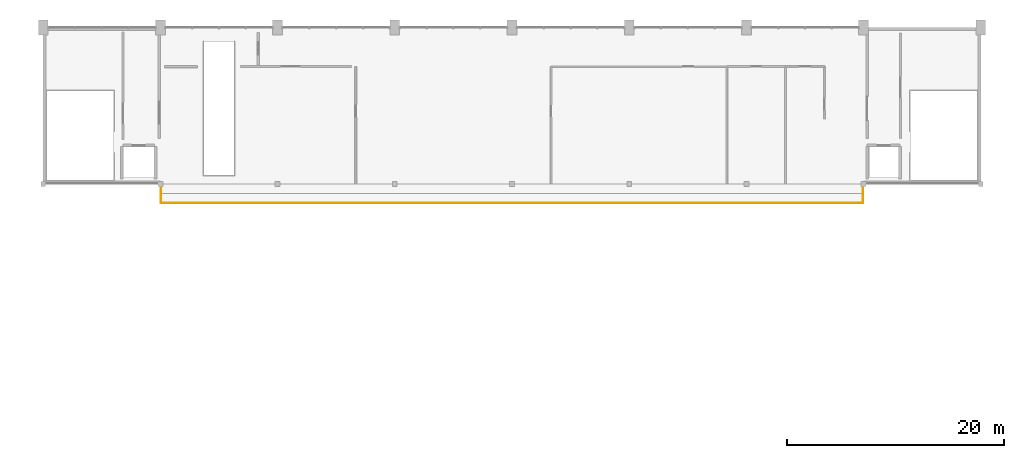
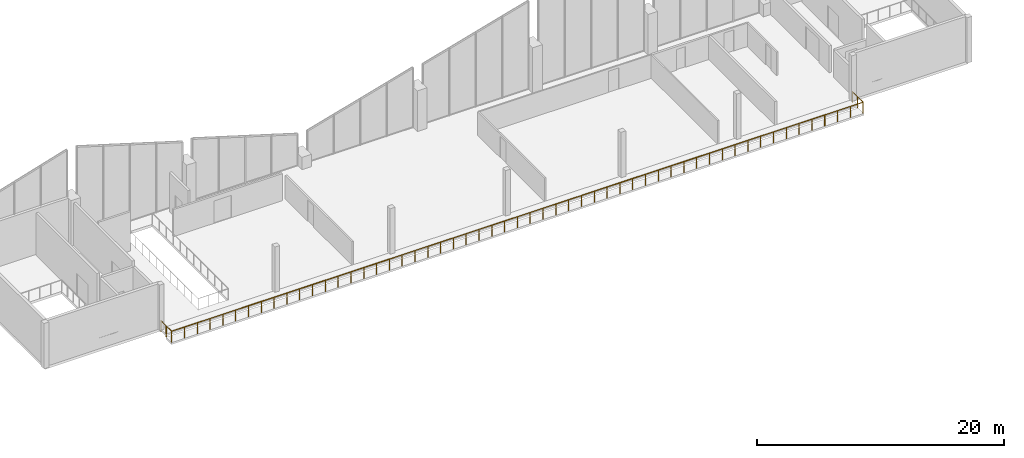
# One storey, part 83 of 89: 1 railing.
"""IFC4 building model written with IfcOpenShell, lengths in metres."""

from ifc_helpers import new_model, si_unit, direction, frame, origin, origin_2d, place, context, subcontext, project, spatial, circle, extrude, material, type_object, element, save


model = new_model("IFC4")

# Units and contexts
model_context = context("Model", 3, precision=1e-05, world=origin(), true_north=direction((0.0, 1.0)))
body_context = subcontext(model_context, "Body", "Model", "MODEL_VIEW")
ifc_project = project(units=[si_unit("LENGTHUNIT", "METRE"), si_unit("AREAUNIT", "SQUARE_METRE"), si_unit("VOLUMEUNIT", "CUBIC_METRE"), si_unit("PLANEANGLEUNIT", "RADIAN"), si_unit("MASSUNIT", "GRAM", prefix="KILO")], contexts=[model_context])

# Site, building, storey
site_placement = place(None, origin())
site = spatial("IfcSite", under=ifc_project, at=site_placement, CompositionType="ELEMENT")
building_placement = place(site_placement, origin())
building = spatial("IfcBuilding", under=site, at=building_placement, Name="Suirenkawa Promenade Aquatics Centre", CompositionType="ELEMENT")
storey_placement = place(building_placement, frame((0.0, 0.0, 9.60009765625)))
storey = spatial("IfcBuildingStorey", under=building, at=storey_placement, Name="L02", CompositionType="ELEMENT", Elevation=9.60009765625)

# Railing
ifc_material = material(Name="Marine-grade stainless steel Grade 316L", Category="steel")
railing_type = type_object("IfcRailingType", Name="RLT-BALUSTRADE-1120", PredefinedType="BALUSTRADE", material=ifc_material)
railing_placement = place(storey_placement, frame((68.43994140625, 108.0, -0.300048828125)))
element("IfcRailing", 1, at=railing_placement, inside=storey, type_object=railing_type, Name="Balustrade BAL-01 RL-0426", PredefinedType="BALUSTRADE", context=body_context, shape_type="SweptSolid", body=[
    extrude(circle(Radius=0.02392578125, at=origin_2d()), frame((0.0, 0.0, 1.09619140625), z_axis=(0.0, -1.0, 0.0), x_axis=(1.0, 0.0, 0.0)), (0.0, 0.0, 1.0), 1.760009765625),
    extrude(circle(Radius=0.02392578125, at=origin_2d()), frame((0.0, -1.760009765625, 1.09619140625), z_axis=(1.0, 0.0, 0.0), x_axis=(0.0, 1.0, 0.0)), (0.0, 0.0, 1.0), 64.719970703125),
    extrude(circle(Radius=0.02392578125, at=origin_2d()), frame((64.719970703125, -1.760009765625, 1.09619140625), z_axis=(0.0, 1.0, 0.0), x_axis=(-1.0, 0.0, 0.0)), (0.0, 0.0, 1.0), 1.760009765625),
    extrude(circle(Radius=0.02099609375, at=origin_2d()), origin(), (0.0, 0.0, 1.0), 1.072021484375),
    extrude(circle(Radius=0.02099609375, at=origin_2d()), frame((0.0, -0.8798828125, 0.0)), (0.0, 0.0, 1.0), 1.072021484375),
    extrude(circle(Radius=0.02099609375, at=origin_2d()), frame((0.0, -1.760009765625, 0.0)), (0.0, 0.0, 1.0), 1.072021484375),
    extrude(circle(Radius=0.02099609375, at=origin_2d()), frame((1.198486328125, -1.760009765625, 0.0)), (0.0, 0.0, 1.0), 1.072021484375),
    extrude(circle(Radius=0.02099609375, at=origin_2d()), frame((2.39697265625, -1.760009765625, 0.0)), (0.0, 0.0, 1.0), 1.072021484375),
    extrude(circle(Radius=0.02099609375, at=origin_2d()), frame((3.595458984375, -1.760009765625, 0.0)), (0.0, 0.0, 1.0), 1.072021484375),
    extrude(circle(Radius=0.02099609375, at=origin_2d()), frame((4.794189453125, -1.760009765625, 0.0)), (0.0, 0.0, 1.0), 1.072021484375),
    extrude(circle(Radius=0.02099609375, at=origin_2d()), frame((5.99267578125, -1.760009765625, 0.0)), (0.0, 0.0, 1.0), 1.072021484375),
    extrude(circle(Radius=0.02099609375, at=origin_2d()), frame((7.191162109375, -1.760009765625, 0.0)), (0.0, 0.0, 1.0), 1.072021484375),
    extrude(circle(Radius=0.02099609375, at=origin_2d()), frame((8.3896484375, -1.760009765625, 0.0)), (0.0, 0.0, 1.0), 1.072021484375),
    extrude(circle(Radius=0.02099609375, at=origin_2d()), frame((9.588134765625, -1.760009765625, 0.0)), (0.0, 0.0, 1.0), 1.072021484375),
    extrude(circle(Radius=0.02099609375, at=origin_2d()), frame((10.78662109375, -1.760009765625, 0.0)), (0.0, 0.0, 1.0), 1.072021484375),
    extrude(circle(Radius=0.02099609375, at=origin_2d()), frame((11.985107421875, -1.760009765625, 0.0)), (0.0, 0.0, 1.0), 1.072021484375),
    extrude(circle(Radius=0.02099609375, at=origin_2d()), frame((13.18359375, -1.760009765625, 0.0)), (0.0, 0.0, 1.0), 1.072021484375),
    extrude(circle(Radius=0.02099609375, at=origin_2d()), frame((14.38232421875, -1.760009765625, 0.0)), (0.0, 0.0, 1.0), 1.072021484375),
    extrude(circle(Radius=0.02099609375, at=origin_2d()), frame((15.580810546875, -1.760009765625, 0.0)), (0.0, 0.0, 1.0), 1.072021484375),
    extrude(circle(Radius=0.02099609375, at=origin_2d()), frame((16.779296875, -1.760009765625, 0.0)), (0.0, 0.0, 1.0), 1.072021484375),
    extrude(circle(Radius=0.02099609375, at=origin_2d()), frame((17.977783203125, -1.760009765625, 0.0)), (0.0, 0.0, 1.0), 1.072021484375),
    extrude(circle(Radius=0.02099609375, at=origin_2d()), frame((19.17626953125, -1.760009765625, 0.0)), (0.0, 0.0, 1.0), 1.072021484375),
    extrude(circle(Radius=0.02099609375, at=origin_2d()), frame((20.374755859375, -1.760009765625, 0.0)), (0.0, 0.0, 1.0), 1.072021484375),
    extrude(circle(Radius=0.02099609375, at=origin_2d()), frame((21.5732421875, -1.760009765625, 0.0)), (0.0, 0.0, 1.0), 1.072021484375),
    extrude(circle(Radius=0.02099609375, at=origin_2d()), frame((22.771728515625, -1.760009765625, 0.0)), (0.0, 0.0, 1.0), 1.072021484375),
    extrude(circle(Radius=0.02099609375, at=origin_2d()), frame((23.970458984375, -1.760009765625, 0.0)), (0.0, 0.0, 1.0), 1.072021484375),
    extrude(circle(Radius=0.02099609375, at=origin_2d()), frame((25.1689453125, -1.760009765625, 0.0)), (0.0, 0.0, 1.0), 1.072021484375),
    extrude(circle(Radius=0.02099609375, at=origin_2d()), frame((26.367431640625, -1.760009765625, 0.0)), (0.0, 0.0, 1.0), 1.072021484375),
    extrude(circle(Radius=0.02099609375, at=origin_2d()), frame((27.56591796875, -1.760009765625, 0.0)), (0.0, 0.0, 1.0), 1.072021484375),
    extrude(circle(Radius=0.02099609375, at=origin_2d()), frame((28.764404296875, -1.760009765625, 0.0)), (0.0, 0.0, 1.0), 1.072021484375),
    extrude(circle(Radius=0.02099609375, at=origin_2d()), frame((29.962890625, -1.760009765625, 0.0)), (0.0, 0.0, 1.0), 1.072021484375),
    extrude(circle(Radius=0.02099609375, at=origin_2d()), frame((31.161376953125, -1.760009765625, 0.0)), (0.0, 0.0, 1.0), 1.072021484375),
    extrude(circle(Radius=0.02099609375, at=origin_2d()), frame((32.35986328125, -1.760009765625, 0.0)), (0.0, 0.0, 1.0), 1.072021484375),
    extrude(circle(Radius=0.02099609375, at=origin_2d()), frame((33.55859375, -1.760009765625, 0.0)), (0.0, 0.0, 1.0), 1.072021484375),
    extrude(circle(Radius=0.02099609375, at=origin_2d()), frame((34.757080078125, -1.760009765625, 0.0)), (0.0, 0.0, 1.0), 1.072021484375),
    extrude(circle(Radius=0.02099609375, at=origin_2d()), frame((35.95556640625, -1.760009765625, 0.0)), (0.0, 0.0, 1.0), 1.072021484375),
    extrude(circle(Radius=0.02099609375, at=origin_2d()), frame((37.154052734375, -1.760009765625, 0.0)), (0.0, 0.0, 1.0), 1.072021484375),
    extrude(circle(Radius=0.02099609375, at=origin_2d()), frame((38.3525390625, -1.760009765625, 0.0)), (0.0, 0.0, 1.0), 1.072021484375),
    extrude(circle(Radius=0.02099609375, at=origin_2d()), frame((39.551025390625, -1.760009765625, 0.0)), (0.0, 0.0, 1.0), 1.072021484375),
    extrude(circle(Radius=0.02099609375, at=origin_2d()), frame((40.74951171875, -1.760009765625, 0.0)), (0.0, 0.0, 1.0), 1.072021484375),
    extrude(circle(Radius=0.02099609375, at=origin_2d()), frame((41.9482421875, -1.760009765625, 0.0)), (0.0, 0.0, 1.0), 1.072021484375),
    extrude(circle(Radius=0.02099609375, at=origin_2d()), frame((43.146728515625, -1.760009765625, 0.0)), (0.0, 0.0, 1.0), 1.072021484375),
    extrude(circle(Radius=0.02099609375, at=origin_2d()), frame((44.34521484375, -1.760009765625, 0.0)), (0.0, 0.0, 1.0), 1.072021484375),
    extrude(circle(Radius=0.02099609375, at=origin_2d()), frame((45.543701171875, -1.760009765625, 0.0)), (0.0, 0.0, 1.0), 1.072021484375),
    extrude(circle(Radius=0.02099609375, at=origin_2d()), frame((46.7421875, -1.760009765625, 0.0)), (0.0, 0.0, 1.0), 1.072021484375),
    extrude(circle(Radius=0.02099609375, at=origin_2d()), frame((47.940673828125, -1.760009765625, 0.0)), (0.0, 0.0, 1.0), 1.072021484375),
    extrude(circle(Radius=0.02099609375, at=origin_2d()), frame((49.13916015625, -1.760009765625, 0.0)), (0.0, 0.0, 1.0), 1.072021484375),
    extrude(circle(Radius=0.02099609375, at=origin_2d()), frame((50.337646484375, -1.760009765625, 0.0)), (0.0, 0.0, 1.0), 1.072021484375),
    extrude(circle(Radius=0.02099609375, at=origin_2d()), frame((51.536376953125, -1.760009765625, 0.0)), (0.0, 0.0, 1.0), 1.072021484375),
    extrude(circle(Radius=0.02099609375, at=origin_2d()), frame((52.73486328125, -1.760009765625, 0.0)), (0.0, 0.0, 1.0), 1.072021484375),
    extrude(circle(Radius=0.02099609375, at=origin_2d()), frame((53.933349609375, -1.760009765625, 0.0)), (0.0, 0.0, 1.0), 1.072021484375),
    extrude(circle(Radius=0.02099609375, at=origin_2d()), frame((55.1318359375, -1.760009765625, 0.0)), (0.0, 0.0, 1.0), 1.072021484375),
    extrude(circle(Radius=0.02099609375, at=origin_2d()), frame((56.330322265625, -1.760009765625, 0.0)), (0.0, 0.0, 1.0), 1.072021484375),
    extrude(circle(Radius=0.02099609375, at=origin_2d()), frame((57.52880859375, -1.760009765625, 0.0)), (0.0, 0.0, 1.0), 1.072021484375),
    extrude(circle(Radius=0.02099609375, at=origin_2d()), frame((58.727294921875, -1.760009765625, 0.0)), (0.0, 0.0, 1.0), 1.072021484375),
    extrude(circle(Radius=0.02099609375, at=origin_2d()), frame((59.92578125, -1.760009765625, 0.0)), (0.0, 0.0, 1.0), 1.072021484375),
    extrude(circle(Radius=0.02099609375, at=origin_2d()), frame((61.12451171875, -1.760009765625, 0.0)), (0.0, 0.0, 1.0), 1.072021484375),
    extrude(circle(Radius=0.02099609375, at=origin_2d()), frame((62.322998046875, -1.760009765625, 0.0)), (0.0, 0.0, 1.0), 1.072021484375),
    extrude(circle(Radius=0.02099609375, at=origin_2d()), frame((63.521484375, -1.760009765625, 0.0)), (0.0, 0.0, 1.0), 1.072021484375),
    extrude(circle(Radius=0.02099609375, at=origin_2d()), frame((64.719970703125, -1.760009765625, 0.0)), (0.0, 0.0, 1.0), 1.072021484375),
    extrude(circle(Radius=0.02099609375, at=origin_2d()), frame((64.719970703125, -0.8798828125, 0.0)), (0.0, 0.0, 1.0), 1.072021484375),
    extrude(circle(Radius=0.02099609375, at=origin_2d()), frame((64.719970703125, 0.0, 0.0)), (0.0, 0.0, 1.0), 1.072021484375),
])

save(model, "model.ifc")
